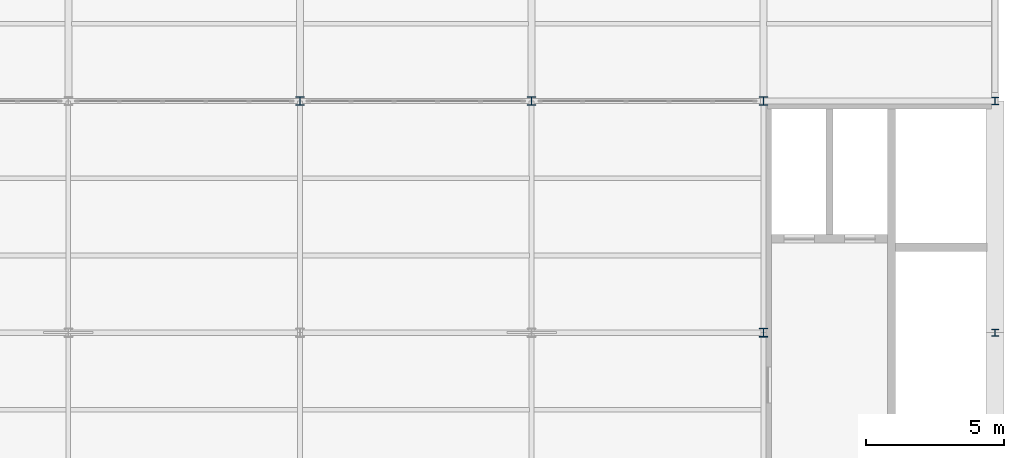
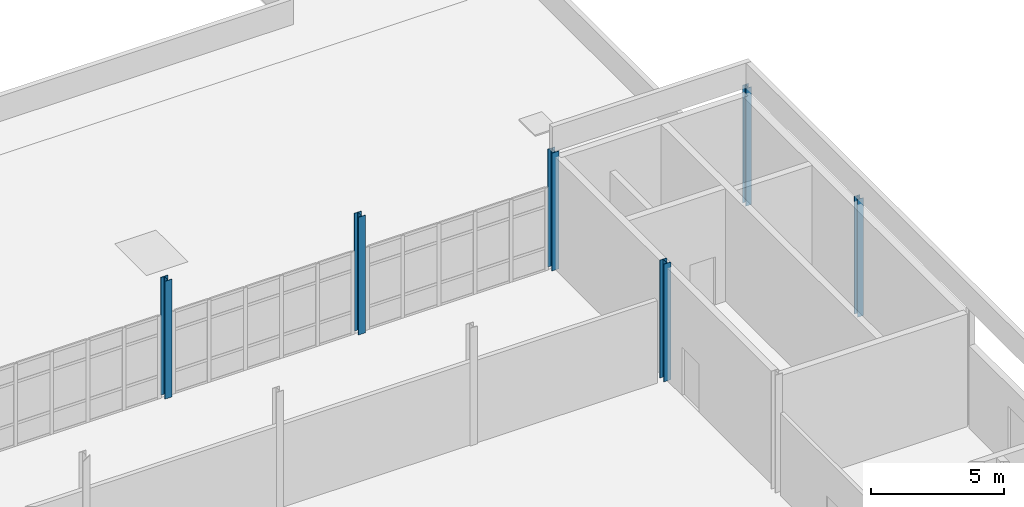
# One storey, part 5 of 33: 6 columns.
"""IFC4 building model written with IfcOpenShell, lengths in metres."""

from ifc_helpers import new_model, si_unit, direction, frame, origin, origin_2d, place, context, subcontext, project, spatial, i_section, extrude, material, material_profile, profile_set, type_object, element, save


model = new_model("IFC4")

# Units and contexts
model_context = context("Model", 3, precision=1e-05, world=origin(), true_north=direction((0.0, 1.0)))
body_context = subcontext(model_context, "Body", "Model", "MODEL_VIEW")
ifc_project = project(units=[si_unit("LENGTHUNIT", "METRE"), si_unit("AREAUNIT", "SQUARE_METRE"), si_unit("VOLUMEUNIT", "CUBIC_METRE"), si_unit("PLANEANGLEUNIT", "RADIAN"), si_unit("MASSUNIT", "GRAM", prefix="KILO"), si_unit("THERMODYNAMICTEMPERATUREUNIT", "KELVIN"), si_unit("POWERUNIT", "WATT")], contexts=[model_context])

# Site, building, storey
site_placement = place(None, origin())
site = spatial("IfcSite", under=ifc_project, at=site_placement, CompositionType="ELEMENT")
building_placement = place(site_placement, origin())
building = spatial("IfcBuilding", under=site, at=building_placement, Name="Tembeka Court Mobility Hub", CompositionType="ELEMENT")
storey_placement = place(building_placement, frame((0.0, 0.0, 23.39990234375)))
storey = spatial("IfcBuildingStorey", under=building, at=storey_placement, Name="L06", CompositionType="ELEMENT", Elevation=23.39990234375)

# Columns
ifc_material = material(Name="Steel S355", Category="steel")
ifc_material_profile_1 = material_profile(ifc_material, i_section(OverallWidth=0.30908203125, OverallDepth=0.321044921875, WebThickness=0.013916015625, FlangeThickness=0.021728515625, FilletRadius=0.01513671875, at=origin_2d()), Name="UKC 305x305x137")
ifc_profile_set_1 = profile_set([ifc_material_profile_1], Name="Steel S355")
column_type_1 = type_object("IfcColumnType", Name="COL-C04", PredefinedType="COLUMN", material=ifc_profile_set_1)
for number, where, z_axis, x_axis, name in (
    (1, (67.199951171875, 80.39990234375, 0.0), (0.0, 0.0, 1.0), (1.0, 0.0, 0.0), "Column C04 (L06-100)"),
    (2, (75.60009765625, 80.39990234375, 0.0), (0.0, 0.0, 1.0), (1.0, 0.0, 0.0), "Column C04 (L06-110)"),
    (3, (84.0, 72.0, 0.0), (0.0, 0.0, 1.0), (1.0, 0.0, 0.0), "Column C04 (L06-120)"),
    (4, (84.0, 80.39990234375, 0.0), (0.0, 0.0, 1.0), (1.0, 0.0, 0.0), "Column C04 (L06-121)"),
):
    element("IfcColumn", number, at=place(storey_placement, frame(where, z_axis=z_axis, x_axis=x_axis)), inside=storey, type_object=column_type_1, Name=name, PredefinedType="COLUMN", context=body_context, shape_type="SweptSolid", body=[
        extrude(i_section(OverallWidth=0.30908203125, OverallDepth=0.321044921875, WebThickness=0.013916015625, FlangeThickness=0.021728515625, FilletRadius=0.01513671875, at=origin_2d()), origin(), (0.0, 0.0, 1.0), 5.400146484375),
    ])
ifc_material_profile_2 = material_profile(ifc_material, i_section(OverallWidth=0.256103515625, OverallDepth=0.260009765625, WebThickness=0.01025390625, FlangeThickness=0.017333984375, FilletRadius=0.0126953125, at=origin_2d()), Name="UKC 254x254x89")
ifc_profile_set_2 = profile_set([ifc_material_profile_2], Name="Steel S355")
column_type_2 = type_object("IfcColumnType", Name="COL-C05", PredefinedType="COLUMN", material=ifc_profile_set_2)
for number, where, z_axis, x_axis, name in (
    (5, (92.39990234375, 72.0, 0.0), (0.0, 0.0, 1.0), (1.0, 0.0, 0.0), "Column C05 (L06-132)"),
    (6, (92.39990234375, 80.39990234375, 0.0), (0.0, 0.0, 1.0), (1.0, 0.0, 0.0), "Column C05 (L06-133)"),
):
    element("IfcColumn", number, at=place(storey_placement, frame(where, z_axis=z_axis, x_axis=x_axis)), inside=storey, type_object=column_type_2, Name=name, PredefinedType="COLUMN", context=body_context, shape_type="SweptSolid", body=[
        extrude(i_section(OverallWidth=0.256103515625, OverallDepth=0.260009765625, WebThickness=0.01025390625, FlangeThickness=0.017333984375, FilletRadius=0.0126953125, at=origin_2d()), origin(), (0.0, 0.0, 1.0), 5.400146484375),
    ])

save(model, "model.ifc")
